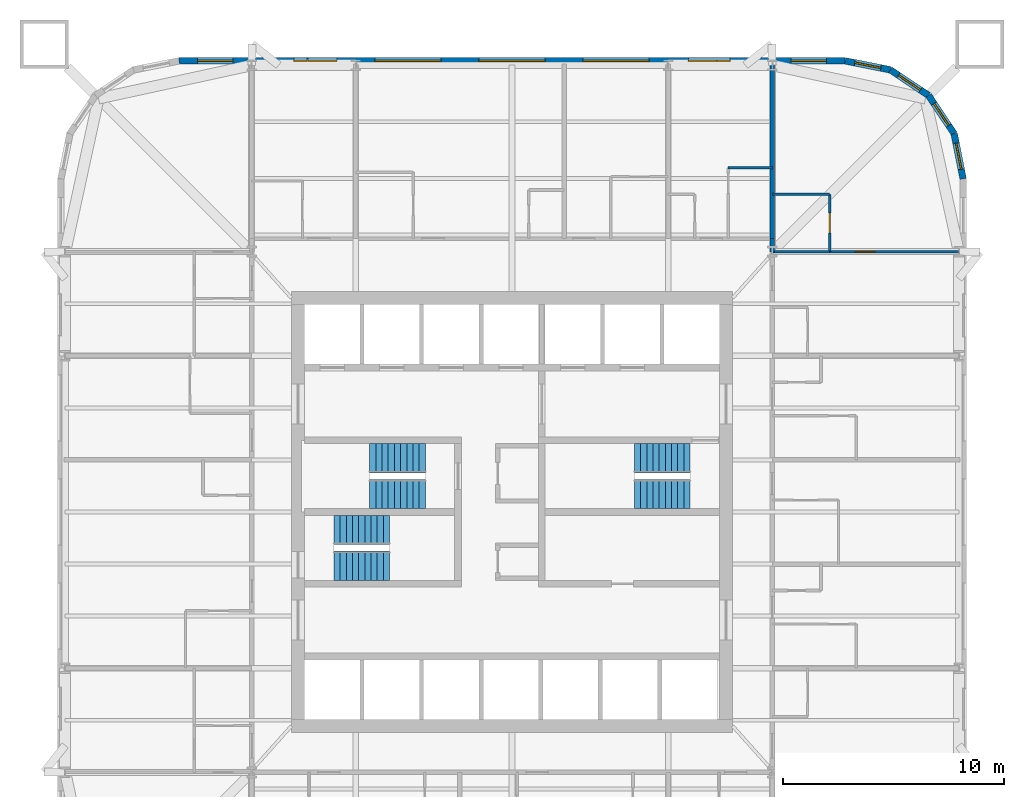
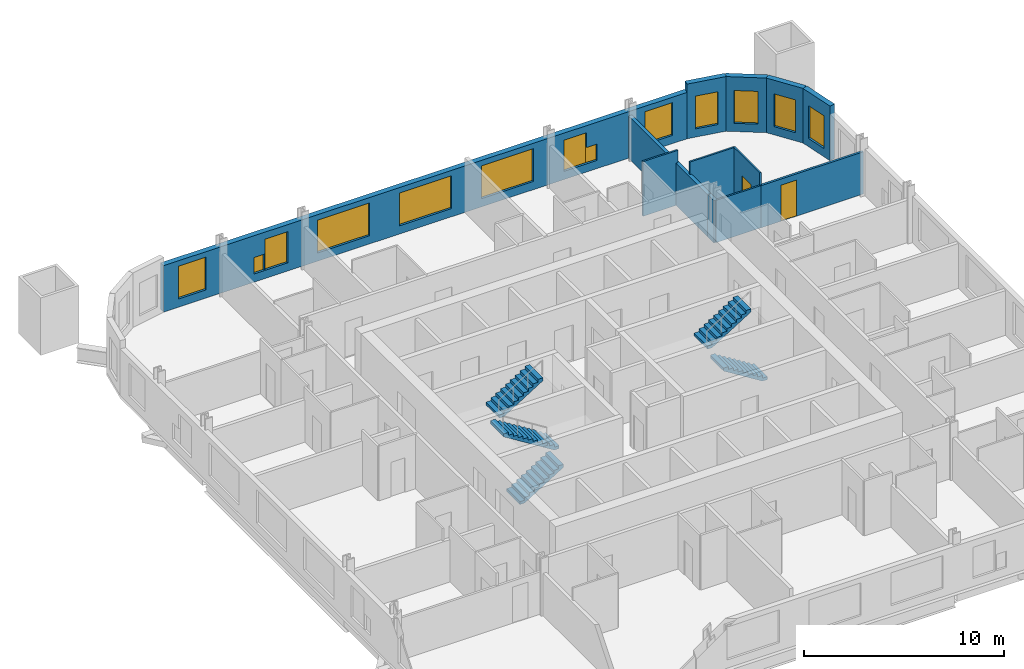
# One storey, part 8 of 9: 13 windows, 12 walls, 6 stair flights, 2 doors, 15 openings, 3 elements without a shape of their own.
"""IFC4 building model written with IfcOpenShell, lengths in metres."""

from ifc_helpers import new_model, si_unit, direction, frame, frame_2d, origin, place, context, subcontext, project, spatial, polyline, rectangle, outline, extrude, material, layer, layer_set, type_object, element, fill, aggregate, save


model = new_model("IFC4")

# Units and contexts
model_context = context("Model", 3, precision=1e-05, world=origin(), true_north=direction((0.0, 1.0)))
body_context = subcontext(model_context, "Body", "Model", "MODEL_VIEW")
ifc_project = project(units=[si_unit("LENGTHUNIT", "METRE"), si_unit("AREAUNIT", "SQUARE_METRE"), si_unit("VOLUMEUNIT", "CUBIC_METRE"), si_unit("PLANEANGLEUNIT", "RADIAN"), si_unit("MASSUNIT", "GRAM", prefix="KILO")], contexts=[model_context])

# Site, building, storey
site_placement = place(None, origin())
site = spatial("IfcSite", under=ifc_project, at=site_placement, CompositionType="ELEMENT")
building_placement = place(site_placement, origin())
building = spatial("IfcBuilding", under=site, at=building_placement, Name="Turquesa Mirador Hotel Tower", CompositionType="ELEMENT")
storey_placement = place(building_placement, frame((0.0, 0.0, 107.39990234375)))
storey = spatial("IfcBuildingStorey", under=building, at=storey_placement, Name="L28", CompositionType="ELEMENT", Elevation=107.39990234375)

# Walls
ifc_material_1 = material(Name="Gypsum board on steel studs", Category="steel")
ifc_layer_1 = layer(ifc_material_1, 0.10009765625)
ifc_layer_set_1 = layer_set([ifc_layer_1], Name="BATHROOM WALL 100")
wall_type_1 = type_object("IfcWallType", Name="BATHROOM WALL 100", PredefinedType="PARTITIONING", material=ifc_layer_set_1)
wall_1_placement = place(storey_placement, frame((66.800048828125, 56.800048828125, 0.0), z_axis=(0.0, 0.0, 1.0), x_axis=(1.0, 0.0, 0.0)))
element("IfcWall", 1, at=wall_1_placement, inside=storey, type_object=wall_type_1, Name="Partition L28 021", PredefinedType="PARTITIONING", context=body_context, shape_type="SweptSolid", body=[
    extrude(rectangle(XDim=2.599853515625, YDim=0.10009765625, at=frame_2d((1.2998046875, 0.0))), origin(), (0.0, 0.0, 1.0), 2.5732421875),
])
wall_2_placement = place(storey_placement, frame((66.800048828125, 59.39990234375, 0.0), z_axis=(0.0, 0.0, 1.0), x_axis=(1.0, 0.0, 0.0)))
element("IfcWall", 2, at=wall_2_placement, inside=storey, type_object=wall_type_1, Name="Partition L28 026", PredefinedType="PARTITIONING", context=body_context, shape_type="SweptSolid", body=[
    extrude(rectangle(XDim=2.599853515625, YDim=0.10009765625, at=frame_2d((1.2998046875, 0.0))), origin(), (0.0, 0.0, 1.0), 3.330078125),
])
wall_3_placement = place(storey_placement, frame((64.800048828125, 60.60009765625, 0.0), z_axis=(0.0, 0.0, 1.0), x_axis=(1.0, 0.0, 0.0)))
element("IfcWall", 3, at=wall_3_placement, inside=storey, type_object=wall_type_1, Name="Partition L28 031", PredefinedType="PARTITIONING", context=body_context, shape_type="SweptSolid", body=[
    extrude(rectangle(XDim=2.0, YDim=0.10009765625, at=frame_2d((1.0, 0.0))), origin(), (0.0, 0.0, 1.0), 3.330078125),
])

# Wall, opening, door
wall_4_placement = place(storey_placement, frame((69.39990234375, 56.800048828125, 0.0), z_axis=(0.0, 0.0, 1.0), x_axis=(0.0, 1.0, 0.0)))
wall_4 = element("IfcWall", 4, at=wall_4_placement, inside=storey, type_object=wall_type_1, Name="Partition L28 068", PredefinedType="PARTITIONING", context=body_context, shape_type="SweptSolid", body=[
    extrude(rectangle(XDim=2.599853515625, YDim=0.10009765625, at=frame_2d((1.2998046875, 0.0))), origin(), (0.0, 0.0, 1.0), 3.330078125),
])
opening_1_placement = place(wall_4_placement, frame((0.85009765625, 0.0, 0.0)))
opening_1 = element("IfcOpeningElement", 5, at=opening_1_placement, cuts=wall_4, Name="Opening D02", PredefinedType="OPENING", context=body_context, shape_type="SweptSolid", body=[
    extrude(rectangle(XDim=0.89990234375, YDim=2.10009765625, at=frame_2d((0.449951171875, 1.050048828125))), frame((0.0, 0.06005859375, 0.0), z_axis=(0.0, -1.0, 0.0), x_axis=(1.0, 0.0, 0.0)), (0.0, 0.0, 1.0), 0.1201171875),
])
ifc_material_2 = material(Name="Timber veneered door", Category="wood")
door_type_1 = type_object("IfcDoorType", Name="DOOR 900X2100 EN-SUITE", OperationType="SINGLE_SWING_RIGHT", PredefinedType="DOOR", material=ifc_material_2)
door_1_placement = place(opening_1_placement, origin())
door_1 = element("IfcDoor", 6, at=door_1_placement, inside=storey, type_object=door_type_1, Name="Door 2813B", OperationType="SINGLE_SWING_RIGHT", OverallHeight=2.10009765625, OverallWidth=0.89990234375, PredefinedType="DOOR", context=body_context, shape_type="SweptSolid", body=[
    extrude(rectangle(XDim=0.89990234375, YDim=2.10009765625, at=frame_2d((0.449951171875, 1.050048828125))), frame((0.0, 0.02490234375, 0.0), z_axis=(0.0, -1.0, 0.0), x_axis=(1.0, 0.0, 0.0)), (0.0, 0.0, 1.0), 0.050048828125),
])
fill(opening_1, door_1)

# Wall
ifc_material_3 = material(Name="Fire-rated gypsum board on steel studs", Category="steel")
ifc_layer_2 = layer(ifc_material_3, 0.199951171875)
ifc_layer_set_2 = layer_set([ifc_layer_2], Name="CORRIDOR WALL 200")
wall_type_2 = type_object("IfcWallType", Name="CORRIDOR WALL 200", PredefinedType="PARTITIONING", material=ifc_layer_set_2)
wall_5_placement = place(storey_placement, frame((66.800048828125, 56.780029296875, 0.0), z_axis=(0.0, 0.0, 1.0), x_axis=(0.0, 1.0, 0.0)))
element("IfcWall", 7, at=wall_5_placement, inside=storey, type_object=wall_type_2, Name="Partition L28 081", PredefinedType="PARTITIONING", context=body_context, shape_type="SweptSolid", body=[
    extrude(rectangle(XDim=0.619873046875, YDim=0.199951171875, at=frame_2d((0.31005859375, 0.0))), origin(), (0.0, 0.0, 1.0), 2.5732421875),
])

# Wall, opening, window
ifc_material_4 = material(Name="Limestone cladding on concrete block", Category="masonry")
ifc_layer_3 = layer(ifc_material_4, 0.300048828125)
ifc_layer_set_3 = layer_set([ifc_layer_3], Name="FACADE WALL 300 STONE SCREEN")
wall_type_3 = type_object("IfcWallType", Name="FACADE WALL 300 STONE SCREEN", PredefinedType="SOLIDWALL", material=ifc_layer_set_3)
wall_6_placement = place(storey_placement, frame((75.449951171875, 60.10009765625, 0.0), z_axis=(0.0, 0.0, 1.0), x_axis=(-0.195081421501, 0.980787050784, 0.0)))
wall_6 = element("IfcWall", 8, at=wall_6_placement, inside=storey, type_object=wall_type_3, Name="Facade wall L28 05", PredefinedType="SOLIDWALL", context=body_context, shape_type="SweptSolid", body=[
    extrude(rectangle(XDim=2.08740234375, YDim=0.300048828125, at=frame_2d((1.043701171875, 0.0))), origin(), (0.0, 0.0, 1.0), 3.330078125),
])
opening_2_placement = place(wall_6_placement, frame((0.443603515625, 0.0, 0.5)))
opening_2 = element("IfcOpeningElement", 9, at=opening_2_placement, cuts=wall_6, Name="Opening WN4", PredefinedType="OPENING", context=body_context, shape_type="SweptSolid", body=[
    extrude(rectangle(XDim=1.199951171875, YDim=2.0, at=frame_2d((0.60009765625, 1.0))), frame((0.0, 0.159912109375, 0.0), z_axis=(0.0, -1.0, 0.0), x_axis=(1.0, 0.0, 0.0)), (0.0, 0.0, 1.0), 0.320068359375),
])
ifc_material_5 = material(Name="Ceramic-fritted laminated glass", Category="glass")
window_type_1 = type_object("IfcWindowType", Name="FRITTED CORNER WINDOW 1200X2000", PartitioningType="DOUBLE_PANEL_HORIZONTAL", PredefinedType="WINDOW", material=ifc_material_5)
window_1_placement = place(opening_2_placement, origin())
window_1 = element("IfcWindow", 10, at=window_1_placement, inside=storey, type_object=window_type_1, Name="Window L28", OverallHeight=2.0, OverallWidth=1.199951171875, PartitioningType="SINGLE_PANEL", PredefinedType="WINDOW", context=body_context, shape_type="SweptSolid", body=[
    extrude(rectangle(XDim=1.199951171875, YDim=2.0, at=frame_2d((0.60009765625, 1.0))), frame((0.0, 0.030029296875, 0.0), z_axis=(0.0, -1.0, 0.0), x_axis=(1.0, 0.0, 0.0)), (0.0, 0.0, 1.0), 0.06005859375),
])
fill(opening_2, window_1)

wall_7_placement = place(storey_placement, frame((75.042724609375, 62.1474609375, 0.0), z_axis=(0.0, 0.0, 1.0), x_axis=(-0.555563607591, 0.831474039234, 0.0)))
wall_7 = element("IfcWall", 11, at=wall_7_placement, inside=storey, type_object=wall_type_3, Name="Facade wall L28 06", PredefinedType="SOLIDWALL", context=body_context, shape_type="SweptSolid", body=[
    extrude(rectangle(XDim=2.08740234375, YDim=0.300048828125, at=frame_2d((1.043701171875, 0.0))), origin(), (0.0, 0.0, 1.0), 3.330078125),
])
opening_3_placement = place(wall_7_placement, frame((0.443603515625, 0.0, 0.5)))
opening_3 = element("IfcOpeningElement", 12, at=opening_3_placement, cuts=wall_7, Name="Opening WN4", PredefinedType="OPENING", context=body_context, shape_type="SweptSolid", body=[
    extrude(rectangle(XDim=1.199951171875, YDim=2.0, at=frame_2d((0.60009765625, 1.0))), frame((0.0, 0.159912109375, 0.0), z_axis=(0.0, -1.0, 0.0), x_axis=(1.0, 0.0, 0.0)), (0.0, 0.0, 1.0), 0.320068359375),
])
window_2_placement = place(opening_3_placement, origin())
window_2 = element("IfcWindow", 13, at=window_2_placement, inside=storey, type_object=window_type_1, Name="Window L28", OverallHeight=2.0, OverallWidth=1.199951171875, PartitioningType="SINGLE_PANEL", PredefinedType="WINDOW", context=body_context, shape_type="SweptSolid", body=[
    extrude(rectangle(XDim=1.199951171875, YDim=2.0, at=frame_2d((0.60009765625, 1.0))), frame((0.0, 0.030029296875, 0.0), z_axis=(0.0, -1.0, 0.0), x_axis=(1.0, 0.0, 0.0)), (0.0, 0.0, 1.0), 0.06005859375),
])
fill(opening_3, window_2)

wall_8_placement = place(storey_placement, frame((73.883056640625, 63.883056640625, 0.0), z_axis=(0.0, 0.0, 1.0), x_axis=(-0.831474039234, 0.555563607591, 0.0)))
wall_8 = element("IfcWall", 14, at=wall_8_placement, inside=storey, type_object=wall_type_3, Name="Facade wall L28 07", PredefinedType="SOLIDWALL", context=body_context, shape_type="SweptSolid", body=[
    extrude(rectangle(XDim=2.08740234375, YDim=0.300048828125, at=frame_2d((1.043701171875, 0.0))), origin(), (0.0, 0.0, 1.0), 3.330078125),
])
opening_4_placement = place(wall_8_placement, frame((0.443603515625, 0.0, 0.5)))
opening_4 = element("IfcOpeningElement", 15, at=opening_4_placement, cuts=wall_8, Name="Opening WN4", PredefinedType="OPENING", context=body_context, shape_type="SweptSolid", body=[
    extrude(rectangle(XDim=1.199951171875, YDim=2.0, at=frame_2d((0.60009765625, 1.0))), frame((0.0, 0.159912109375, 0.0), z_axis=(0.0, -1.0, 0.0), x_axis=(1.0, 0.0, 0.0)), (0.0, 0.0, 1.0), 0.320068359375),
])
window_3_placement = place(opening_4_placement, origin())
window_3 = element("IfcWindow", 16, at=window_3_placement, inside=storey, type_object=window_type_1, Name="Window L28", OverallHeight=2.0, OverallWidth=1.199951171875, PartitioningType="SINGLE_PANEL", PredefinedType="WINDOW", context=body_context, shape_type="SweptSolid", body=[
    extrude(rectangle(XDim=1.199951171875, YDim=2.0, at=frame_2d((0.60009765625, 1.0))), frame((0.0, 0.030029296875, 0.0), z_axis=(0.0, -1.0, 0.0), x_axis=(1.0, 0.0, 0.0)), (0.0, 0.0, 1.0), 0.06005859375),
])
fill(opening_4, window_3)

wall_9_placement = place(storey_placement, frame((72.1474609375, 65.042724609375, 0.0), z_axis=(0.0, 0.0, 1.0), x_axis=(-0.980787050784, 0.195081421501, 0.0)))
wall_9 = element("IfcWall", 17, at=wall_9_placement, inside=storey, type_object=wall_type_3, Name="Facade wall L28 08", PredefinedType="SOLIDWALL", context=body_context, shape_type="SweptSolid", body=[
    extrude(rectangle(XDim=2.08740234375, YDim=0.300048828125, at=frame_2d((1.043701171875, 0.0))), origin(), (0.0, 0.0, 1.0), 3.330078125),
])
opening_5_placement = place(wall_9_placement, frame((0.443603515625, 0.0, 0.5)))
opening_5 = element("IfcOpeningElement", 18, at=opening_5_placement, cuts=wall_9, Name="Opening WN4", PredefinedType="OPENING", context=body_context, shape_type="SweptSolid", body=[
    extrude(rectangle(XDim=1.199951171875, YDim=2.0, at=frame_2d((0.60009765625, 1.0))), frame((0.0, 0.159912109375, 0.0), z_axis=(0.0, -1.0, 0.0), x_axis=(1.0, 0.0, 0.0)), (0.0, 0.0, 1.0), 0.320068359375),
])
window_4_placement = place(opening_5_placement, origin())
window_4 = element("IfcWindow", 19, at=window_4_placement, inside=storey, type_object=window_type_1, Name="Window L28", OverallHeight=2.0, OverallWidth=1.199951171875, PartitioningType="SINGLE_PANEL", PredefinedType="WINDOW", context=body_context, shape_type="SweptSolid", body=[
    extrude(rectangle(XDim=1.199951171875, YDim=2.0, at=frame_2d((0.60009765625, 1.0))), frame((0.0, 0.030029296875, 0.0), z_axis=(0.0, -1.0, 0.0), x_axis=(1.0, 0.0, 0.0)), (0.0, 0.0, 1.0), 0.06005859375),
])
fill(opening_5, window_4)

# Wall, openings, windows
wall_10_placement = place(storey_placement, frame((70.10009765625, 65.449951171875, 0.0), z_axis=(0.0, 0.0, 1.0), x_axis=(-1.0, 0.0, 0.0)))
wall_10 = element("IfcWall", 20, at=wall_10_placement, inside=storey, type_object=wall_type_3, Name="Facade wall L28 09", PredefinedType="SOLIDWALL", context=body_context, shape_type="SweptSolid", body=[
    extrude(rectangle(XDim=30.2001953125, YDim=0.300048828125, at=frame_2d((15.10009765625, 0.0))), origin(), (0.0, 0.0, 1.0), 2.830078125),
])
opening_6_placement = place(wall_10_placement, frame((0.85009765625, 0.0, 0.5)))
opening_6 = element("IfcOpeningElement", 21, at=opening_6_placement, cuts=wall_10, Name="Opening WN3", PredefinedType="OPENING", context=body_context, shape_type="SweptSolid", body=[
    extrude(rectangle(XDim=1.60009765625, YDim=2.0, at=frame_2d((0.800048828125, 1.0))), frame((0.0, 0.159912109375, 0.0), z_axis=(0.0, -1.0, 0.0), x_axis=(1.0, 0.0, 0.0)), (0.0, 0.0, 1.0), 0.320068359375),
])
opening_7_placement = place(wall_10_placement, frame((5.81005859375, 0.0, 0.5)))
opening_7 = element("IfcOpeningElement", 22, at=opening_7_placement, cuts=wall_10, Name="Opening WN27", PredefinedType="OPENING", context=body_context, shape_type="SweptSolid", body=[
    extrude(rectangle(XDim=1.300048828125, YDim=1.89990234375, at=frame_2d((0.64990234375, 0.949951171875))), frame((0.0, 0.159912109375, 0.0), z_axis=(0.0, -1.0, 0.0), x_axis=(1.0, 0.0, 0.0)), (0.0, 0.0, 1.0), 0.320068359375),
])
opening_8_placement = place(wall_10_placement, frame((8.8798828125, 0.0, 0.5)))
opening_8 = element("IfcOpeningElement", 23, at=opening_8_placement, cuts=wall_10, Name="Opening WN1", PredefinedType="OPENING", context=body_context, shape_type="SweptSolid", body=[
    extrude(rectangle(XDim=3.0, YDim=2.0, at=frame_2d((1.5, 1.0))), frame((0.0, 0.159912109375, 0.0), z_axis=(0.0, -1.0, 0.0), x_axis=(1.0, 0.0, 0.0)), (0.0, 0.0, 1.0), 0.320068359375),
])
opening_9_placement = place(wall_10_placement, frame((13.60009765625, 0.0, 0.5)))
opening_9 = element("IfcOpeningElement", 24, at=opening_9_placement, cuts=wall_10, Name="Opening WN1", PredefinedType="OPENING", context=body_context, shape_type="SweptSolid", body=[
    extrude(rectangle(XDim=3.0, YDim=2.0, at=frame_2d((1.5, 1.0))), frame((0.0, 0.159912109375, 0.0), z_axis=(0.0, -1.0, 0.0), x_axis=(1.0, 0.0, 0.0)), (0.0, 0.0, 1.0), 0.320068359375),
])
opening_10_placement = place(wall_10_placement, frame((18.320068359375, 0.0, 0.5)))
opening_10 = element("IfcOpeningElement", 25, at=opening_10_placement, cuts=wall_10, Name="Opening WN1", PredefinedType="OPENING", context=body_context, shape_type="SweptSolid", body=[
    extrude(rectangle(XDim=3.0, YDim=2.0, at=frame_2d((1.5, 1.0))), frame((0.0, 0.159912109375, 0.0), z_axis=(0.0, -1.0, 0.0), x_axis=(1.0, 0.0, 0.0)), (0.0, 0.0, 1.0), 0.320068359375),
])
opening_11_placement = place(wall_10_placement, frame((23.0400390625, 0.0, 0.5)))
opening_11 = element("IfcOpeningElement", 26, at=opening_11_placement, cuts=wall_10, Name="Opening WN27", PredefinedType="OPENING", context=body_context, shape_type="SweptSolid", body=[
    extrude(rectangle(XDim=1.300048828125, YDim=1.89990234375, at=frame_2d((0.64990234375, 0.949951171875))), frame((0.0, 0.159912109375, 0.0), z_axis=(0.0, -1.0, 0.0), x_axis=(1.0, 0.0, 0.0)), (0.0, 0.0, 1.0), 0.320068359375),
])
opening_12_placement = place(wall_10_placement, frame((27.75, 0.0, 0.5)))
opening_12 = element("IfcOpeningElement", 27, at=opening_12_placement, cuts=wall_10, Name="Opening WN3", PredefinedType="OPENING", context=body_context, shape_type="SweptSolid", body=[
    extrude(rectangle(XDim=1.60009765625, YDim=2.0, at=frame_2d((0.800048828125, 1.0))), frame((0.0, 0.159912109375, 0.0), z_axis=(0.0, -1.0, 0.0), x_axis=(1.0, 0.0, 0.0)), (0.0, 0.0, 1.0), 0.320068359375),
])
opening_13_placement = place(wall_10_placement, frame((5.2099609375, 0.0, 0.5)))
opening_13 = element("IfcOpeningElement", 28, at=opening_13_placement, cuts=wall_10, Name="Opening WN29", PredefinedType="OPENING", context=body_context, shape_type="SweptSolid", body=[
    extrude(rectangle(XDim=0.60009765625, YDim=1.0, at=frame_2d((0.300048828125, 0.5))), frame((0.0, 0.159912109375, 0.0), z_axis=(0.0, -1.0, 0.0), x_axis=(1.0, 0.0, 0.0)), (0.0, 0.0, 1.0), 0.320068359375),
])
opening_14_placement = place(wall_10_placement, frame((24.389892578125, 0.0, 0.5)))
opening_14 = element("IfcOpeningElement", 29, at=opening_14_placement, cuts=wall_10, Name="Opening WN29", PredefinedType="OPENING", context=body_context, shape_type="SweptSolid", body=[
    extrude(rectangle(XDim=0.60009765625, YDim=1.0, at=frame_2d((0.300048828125, 0.5))), frame((0.0, 0.159912109375, 0.0), z_axis=(0.0, -1.0, 0.0), x_axis=(1.0, 0.0, 0.0)), (0.0, 0.0, 1.0), 0.320068359375),
])
ifc_material_6 = material(Name="Ceramic-fritted laminated glass", Category="glass")
window_type_2 = type_object("IfcWindowType", Name="FRITTED WINDOW 1300X1900", PartitioningType="DOUBLE_PANEL_HORIZONTAL", PredefinedType="WINDOW", material=ifc_material_6)
window_5_placement = place(opening_7_placement, origin())
window_5 = element("IfcWindow", 30, at=window_5_placement, inside=storey, type_object=window_type_2, Name="Window L28", OverallHeight=1.89990234375, OverallWidth=1.300048828125, PartitioningType="SINGLE_PANEL", PredefinedType="WINDOW", context=body_context, shape_type="SweptSolid", body=[
    extrude(rectangle(XDim=1.300048828125, YDim=1.89990234375, at=frame_2d((0.64990234375, 0.949951171875))), frame((0.0, 0.030029296875, 0.0), z_axis=(0.0, -1.0, 0.0), x_axis=(1.0, 0.0, 0.0)), (0.0, 0.0, 1.0), 0.06005859375),
])
fill(opening_7, window_5)
window_6_placement = place(opening_11_placement, origin())
window_6 = element("IfcWindow", 31, at=window_6_placement, inside=storey, type_object=window_type_2, Name="Window L28", OverallHeight=1.89990234375, OverallWidth=1.300048828125, PartitioningType="SINGLE_PANEL", PredefinedType="WINDOW", context=body_context, shape_type="SweptSolid", body=[
    extrude(rectangle(XDim=1.300048828125, YDim=1.89990234375, at=frame_2d((0.64990234375, 0.949951171875))), frame((0.0, 0.030029296875, 0.0), z_axis=(0.0, -1.0, 0.0), x_axis=(1.0, 0.0, 0.0)), (0.0, 0.0, 1.0), 0.06005859375),
])
fill(opening_11, window_6)
ifc_material_7 = material(Name="Ceramic-fritted laminated glass", Category="glass")
window_type_3 = type_object("IfcWindowType", Name="FRITTED WINDOW 1600X2000", PartitioningType="DOUBLE_PANEL_HORIZONTAL", PredefinedType="WINDOW", material=ifc_material_7)
window_7_placement = place(opening_6_placement, origin())
window_7 = element("IfcWindow", 32, at=window_7_placement, inside=storey, type_object=window_type_3, Name="Window L28", OverallHeight=2.0, OverallWidth=1.60009765625, PartitioningType="SINGLE_PANEL", PredefinedType="WINDOW", context=body_context, shape_type="SweptSolid", body=[
    extrude(rectangle(XDim=1.60009765625, YDim=2.0, at=frame_2d((0.800048828125, 1.0))), frame((0.0, 0.030029296875, 0.0), z_axis=(0.0, -1.0, 0.0), x_axis=(1.0, 0.0, 0.0)), (0.0, 0.0, 1.0), 0.06005859375),
])
fill(opening_6, window_7)
window_8_placement = place(opening_12_placement, origin())
window_8 = element("IfcWindow", 33, at=window_8_placement, inside=storey, type_object=window_type_3, Name="Window L28", OverallHeight=2.0, OverallWidth=1.60009765625, PartitioningType="SINGLE_PANEL", PredefinedType="WINDOW", context=body_context, shape_type="SweptSolid", body=[
    extrude(rectangle(XDim=1.60009765625, YDim=2.0, at=frame_2d((0.800048828125, 1.0))), frame((0.0, 0.030029296875, 0.0), z_axis=(0.0, -1.0, 0.0), x_axis=(1.0, 0.0, 0.0)), (0.0, 0.0, 1.0), 0.06005859375),
])
fill(opening_12, window_8)
ifc_material_8 = material(Name="Ceramic-fritted laminated glass", Category="glass")
window_type_4 = type_object("IfcWindowType", Name="FRITTED WINDOW 3000X2000", PartitioningType="DOUBLE_PANEL_HORIZONTAL", PredefinedType="WINDOW", material=ifc_material_8)
window_9_placement = place(opening_8_placement, origin())
window_9 = element("IfcWindow", 34, at=window_9_placement, inside=storey, type_object=window_type_4, Name="Window L28", OverallHeight=2.0, OverallWidth=3.0, PartitioningType="SINGLE_PANEL", PredefinedType="WINDOW", context=body_context, shape_type="SweptSolid", body=[
    extrude(rectangle(XDim=3.0, YDim=2.0, at=frame_2d((1.5, 1.0))), frame((0.0, 0.030029296875, 0.0), z_axis=(0.0, -1.0, 0.0), x_axis=(1.0, 0.0, 0.0)), (0.0, 0.0, 1.0), 0.06005859375),
])
fill(opening_8, window_9)
window_10_placement = place(opening_9_placement, origin())
window_10 = element("IfcWindow", 35, at=window_10_placement, inside=storey, type_object=window_type_4, Name="Window L28", OverallHeight=2.0, OverallWidth=3.0, PartitioningType="SINGLE_PANEL", PredefinedType="WINDOW", context=body_context, shape_type="SweptSolid", body=[
    extrude(rectangle(XDim=3.0, YDim=2.0, at=frame_2d((1.5, 1.0))), frame((0.0, 0.030029296875, 0.0), z_axis=(0.0, -1.0, 0.0), x_axis=(1.0, 0.0, 0.0)), (0.0, 0.0, 1.0), 0.06005859375),
])
fill(opening_9, window_10)
window_11_placement = place(opening_10_placement, origin())
window_11 = element("IfcWindow", 36, at=window_11_placement, inside=storey, type_object=window_type_4, Name="Window L28", OverallHeight=2.0, OverallWidth=3.0, PartitioningType="SINGLE_PANEL", PredefinedType="WINDOW", context=body_context, shape_type="SweptSolid", body=[
    extrude(rectangle(XDim=3.0, YDim=2.0, at=frame_2d((1.5, 1.0))), frame((0.0, 0.030029296875, 0.0), z_axis=(0.0, -1.0, 0.0), x_axis=(1.0, 0.0, 0.0)), (0.0, 0.0, 1.0), 0.06005859375),
])
fill(opening_10, window_11)
ifc_material_9 = material(Name="Ceramic-fritted laminated glass", Category="glass")
window_type_5 = type_object("IfcWindowType", Name="FRITTED WINDOW 600X1000", PartitioningType="DOUBLE_PANEL_HORIZONTAL", PredefinedType="WINDOW", material=ifc_material_9)
window_12_placement = place(opening_13_placement, origin())
window_12 = element("IfcWindow", 37, at=window_12_placement, inside=storey, type_object=window_type_5, Name="Window L28", OverallHeight=1.0, OverallWidth=0.60009765625, PartitioningType="SINGLE_PANEL", PredefinedType="WINDOW", context=body_context, shape_type="SweptSolid", body=[
    extrude(rectangle(XDim=0.60009765625, YDim=1.0, at=frame_2d((0.300048828125, 0.5))), frame((0.0, 0.030029296875, 0.0), z_axis=(0.0, -1.0, 0.0), x_axis=(1.0, 0.0, 0.0)), (0.0, 0.0, 1.0), 0.06005859375),
])
fill(opening_13, window_12)
window_13_placement = place(opening_14_placement, origin())
window_13 = element("IfcWindow", 38, at=window_13_placement, inside=storey, type_object=window_type_5, Name="Window L28", OverallHeight=1.0, OverallWidth=0.60009765625, PartitioningType="SINGLE_PANEL", PredefinedType="WINDOW", context=body_context, shape_type="SweptSolid", body=[
    extrude(rectangle(XDim=0.60009765625, YDim=1.0, at=frame_2d((0.300048828125, 0.5))), frame((0.0, 0.030029296875, 0.0), z_axis=(0.0, -1.0, 0.0), x_axis=(1.0, 0.0, 0.0)), (0.0, 0.0, 1.0), 0.06005859375),
])
fill(opening_14, window_13)

# Wall
ifc_material_10 = material(Name="Fire-rated gypsum board on steel studs", Category="steel")
ifc_layer_4 = layer(ifc_material_10, 0.199951171875)
ifc_layer_set_4 = layer_set([ifc_layer_4], Name="PARTY WALL 200")
wall_type_4 = type_object("IfcWallType", Name="PARTY WALL 200", PredefinedType="PARTITIONING", material=ifc_layer_set_4)
wall_11_placement = place(storey_placement, frame((66.800048828125, 57.39990234375, 0.0), z_axis=(0.0, 0.0, 1.0), x_axis=(0.0, 1.0, 0.0)))
element("IfcWall", 39, at=wall_11_placement, inside=storey, type_object=wall_type_4, Name="Partition L28 062", PredefinedType="PARTITIONING", context=body_context, shape_type="SweptSolid", body=[
    extrude(rectangle(XDim=7.900146484375, YDim=0.199951171875, at=frame_2d((3.9501953125, 0.0))), origin(), (0.0, 0.0, 1.0), 2.5732421875),
])

# Wall, opening, door
ifc_material_11 = material(Name="Acoustic gypsum board on steel studs", Category="steel")
ifc_layer_5 = layer(ifc_material_11, 0.125)
ifc_layer_set_5 = layer_set([ifc_layer_5], Name="SUITE PARTITION 125")
wall_type_5 = type_object("IfcWallType", Name="SUITE PARTITION 125", PredefinedType="PARTITIONING", material=ifc_layer_set_5)
wall_12_placement = place(storey_placement, frame((69.39990234375, 56.800048828125, 0.0), z_axis=(0.0, 0.0, 1.0), x_axis=(1.0, 0.0, 0.0)))
wall_12 = element("IfcWall", 40, at=wall_12_placement, inside=storey, type_object=wall_type_5, Name="Partition L28 023", PredefinedType="PARTITIONING", context=body_context, shape_type="SweptSolid", body=[
    extrude(rectangle(XDim=5.900146484375, YDim=0.125, at=frame_2d((2.9501953125, 0.0))), origin(), (0.0, 0.0, 1.0), 2.5732421875),
])
opening_15_placement = place(wall_12_placement, frame((1.14990234375, 0.0, 0.0)))
opening_15 = element("IfcOpeningElement", 41, at=opening_15_placement, cuts=wall_12, Name="Opening D17", PredefinedType="OPENING", context=body_context, shape_type="SweptSolid", body=[
    extrude(rectangle(XDim=0.89990234375, YDim=2.199951171875, at=frame_2d((0.449951171875, 1.10009765625))), frame((0.0, 0.072509765625, 0.0), z_axis=(0.0, -1.0, 0.0), x_axis=(1.0, 0.0, 0.0)), (0.0, 0.0, 1.0), 0.14501953125),
])
ifc_material_12 = material(Name="Timber veneered door", Category="wood")
door_type_2 = type_object("IfcDoorType", Name="DOOR 900X2200 SUITE INTERNAL", OperationType="SINGLE_SWING_LEFT", PredefinedType="DOOR", material=ifc_material_12)
door_2_placement = place(opening_15_placement, origin())
door_2 = element("IfcDoor", 42, at=door_2_placement, inside=storey, type_object=door_type_2, Name="Door 2813R", OperationType="SINGLE_SWING_LEFT", OverallHeight=2.199951171875, OverallWidth=0.89990234375, PredefinedType="DOOR", context=body_context, shape_type="SweptSolid", body=[
    extrude(rectangle(XDim=0.89990234375, YDim=2.199951171875, at=frame_2d((0.449951171875, 1.10009765625))), frame((0.0, 0.02490234375, 0.0), z_axis=(0.0, -1.0, 0.0), x_axis=(1.0, 0.0, 0.0)), (0.0, 0.0, 1.0), 0.050048828125),
])
fill(opening_15, door_2)

# Stair, stair flights
ifc_material_13 = material(Name="Concrete C35/45", Category="concrete")
stair_type = type_object("IfcStairType", Name="ESCAPE STAIR CORE", PredefinedType="HALF_TURN_STAIR", material=ifc_material_13)
stair_1_placement = place(storey_placement, origin())
stair_1 = element("IfcStair", 43, at=stair_1_placement, inside=storey, type_object=stair_type, Name="Stair ST1 L28 to L29", PredefinedType="HALF_TURN_STAIR")
ifc_material_14 = material(Name="Concrete C35/45 precast flight", Category="concrete")
stair_flight_type = type_object("IfcStairFlightType", Name="STAIR FLIGHT 1330", PredefinedType="STRAIGHT", material=ifc_material_14)
stair_flight_1_placement = place(storey_placement, frame((51.070068359375, 45.81494140625, 0.0), z_axis=(0.0, 0.0, 1.0), x_axis=(-1.0, 0.0, 0.0)))
stair_flight_1 = element("IfcStairFlight", 44, at=stair_flight_1_placement, type_object=stair_flight_type, Name="ST1 flight 1", NumberOfRisers=10, NumberOfTreads=9, PredefinedType="STRAIGHT", RiserHeight=0.175, TreadLength=0.28, context=body_context, shape_type="SweptSolid", body=[
    extrude(outline(polyline([(0.0, 0.0), (0.0, 0.175048828125), (0.280029296875, 0.175048828125), (0.280029296875, 0.35009765625), (0.56005859375, 0.35009765625), (0.56005859375, 0.52490234375), (0.840087890625, 0.52490234375), (0.840087890625, 0.699951171875), (1.1201171875, 0.699951171875), (1.1201171875, 0.875), (1.39990234375, 0.875), (1.39990234375, 1.050048828125), (1.679931640625, 1.050048828125), (1.679931640625, 1.22509765625), (1.9599609375, 1.22509765625), (1.9599609375, 1.39990234375), (2.239990234375, 1.39990234375), (2.239990234375, 1.574951171875), (2.52001953125, 1.574951171875), (2.52001953125, 1.75), (2.52001953125, 1.398193359375), (0.28271484375, 0.0), (0.0, 0.0)])), frame((0.0, 0.6650390625, 0.0), z_axis=(0.0, -1.0, 0.0), x_axis=(1.0, 0.0, 0.0)), (0.0, 0.0, 1.0), 1.330078125),
])
stair_flight_2_placement = place(storey_placement, frame((48.550048828125, 47.43505859375, 1.75), z_axis=(0.0, 0.0, 1.0), x_axis=(1.0, 0.0, 0.0)))
stair_flight_2 = element("IfcStairFlight", 45, at=stair_flight_2_placement, type_object=stair_flight_type, Name="ST1 flight 2", NumberOfRisers=10, NumberOfTreads=9, PredefinedType="STRAIGHT", RiserHeight=0.175, TreadLength=0.28, context=body_context, shape_type="SweptSolid", body=[
    extrude(outline(polyline([(0.0, 0.0), (0.0, 0.175048828125), (0.280029296875, 0.175048828125), (0.280029296875, 0.35009765625), (0.56005859375, 0.35009765625), (0.56005859375, 0.52490234375), (0.840087890625, 0.52490234375), (0.840087890625, 0.699951171875), (1.1201171875, 0.699951171875), (1.1201171875, 0.875), (1.39990234375, 0.875), (1.39990234375, 1.050048828125), (1.679931640625, 1.050048828125), (1.679931640625, 1.22509765625), (1.9599609375, 1.22509765625), (1.9599609375, 1.39990234375), (2.239990234375, 1.39990234375), (2.239990234375, 1.574951171875), (2.52001953125, 1.574951171875), (2.52001953125, 1.75), (2.52001953125, 1.398193359375), (0.28271484375, 0.0), (0.0, 0.0)])), frame((0.0, 0.6650390625, 0.0), z_axis=(0.0, -1.0, 0.0), x_axis=(1.0, 0.0, 0.0)), (0.0, 0.0, 1.0), 1.330078125),
])
aggregate(stair_1, [stair_flight_1, stair_flight_2])

stair_2_placement = place(storey_placement, origin())
stair_2 = element("IfcStair", 46, at=stair_2_placement, inside=storey, type_object=stair_type, Name="Stair ST2 L28 to L29", PredefinedType="HALF_TURN_STAIR")
stair_flight_3_placement = place(storey_placement, frame((46.929931640625, 42.56494140625, 0.0), z_axis=(0.0, 0.0, 1.0), x_axis=(1.0, 0.0, 0.0)))
stair_flight_3 = element("IfcStairFlight", 47, at=stair_flight_3_placement, type_object=stair_flight_type, Name="ST2 flight 1", NumberOfRisers=10, NumberOfTreads=9, PredefinedType="STRAIGHT", RiserHeight=0.175, TreadLength=0.28, context=body_context, shape_type="SweptSolid", body=[
    extrude(outline(polyline([(0.0, 0.0), (0.0, 0.175048828125), (0.280029296875, 0.175048828125), (0.280029296875, 0.35009765625), (0.56005859375, 0.35009765625), (0.56005859375, 0.52490234375), (0.840087890625, 0.52490234375), (0.840087890625, 0.699951171875), (1.1201171875, 0.699951171875), (1.1201171875, 0.875), (1.39990234375, 0.875), (1.39990234375, 1.050048828125), (1.679931640625, 1.050048828125), (1.679931640625, 1.22509765625), (1.9599609375, 1.22509765625), (1.9599609375, 1.39990234375), (2.239990234375, 1.39990234375), (2.239990234375, 1.574951171875), (2.52001953125, 1.574951171875), (2.52001953125, 1.75), (2.52001953125, 1.398193359375), (0.28271484375, 0.0), (0.0, 0.0)])), frame((0.0, 0.6650390625, 0.0), z_axis=(0.0, -1.0, 0.0), x_axis=(1.0, 0.0, 0.0)), (0.0, 0.0, 1.0), 1.330078125),
])
stair_flight_4_placement = place(storey_placement, frame((49.449951171875, 44.18505859375, 1.75), z_axis=(0.0, 0.0, 1.0), x_axis=(-1.0, 0.0, 0.0)))
stair_flight_4 = element("IfcStairFlight", 48, at=stair_flight_4_placement, type_object=stair_flight_type, Name="ST2 flight 2", NumberOfRisers=10, NumberOfTreads=9, PredefinedType="STRAIGHT", RiserHeight=0.175, TreadLength=0.28, context=body_context, shape_type="SweptSolid", body=[
    extrude(outline(polyline([(0.0, 0.0), (0.0, 0.175048828125), (0.280029296875, 0.175048828125), (0.280029296875, 0.35009765625), (0.56005859375, 0.35009765625), (0.56005859375, 0.52490234375), (0.840087890625, 0.52490234375), (0.840087890625, 0.699951171875), (1.1201171875, 0.699951171875), (1.1201171875, 0.875), (1.39990234375, 0.875), (1.39990234375, 1.050048828125), (1.679931640625, 1.050048828125), (1.679931640625, 1.22509765625), (1.9599609375, 1.22509765625), (1.9599609375, 1.39990234375), (2.239990234375, 1.39990234375), (2.239990234375, 1.574951171875), (2.52001953125, 1.574951171875), (2.52001953125, 1.75), (2.52001953125, 1.398193359375), (0.28271484375, 0.0), (0.0, 0.0)])), frame((0.0, 0.6650390625, 0.0), z_axis=(0.0, -1.0, 0.0), x_axis=(1.0, 0.0, 0.0)), (0.0, 0.0, 1.0), 1.330078125),
])
aggregate(stair_2, [stair_flight_3, stair_flight_4])

stair_3_placement = place(storey_placement, origin())
stair_3 = element("IfcStair", 49, at=stair_3_placement, inside=storey, type_object=stair_type, Name="Stair ST3 L28 to L29", PredefinedType="HALF_TURN_STAIR")
stair_flight_5_placement = place(storey_placement, frame((63.070068359375, 45.81494140625, 0.0), z_axis=(0.0, 0.0, 1.0), x_axis=(-1.0, 0.0, 0.0)))
stair_flight_5 = element("IfcStairFlight", 50, at=stair_flight_5_placement, type_object=stair_flight_type, Name="ST3 flight 1", NumberOfRisers=10, NumberOfTreads=9, PredefinedType="STRAIGHT", RiserHeight=0.175, TreadLength=0.28, context=body_context, shape_type="SweptSolid", body=[
    extrude(outline(polyline([(0.0, 0.0), (0.0, 0.175048828125), (0.280029296875, 0.175048828125), (0.280029296875, 0.35009765625), (0.56005859375, 0.35009765625), (0.56005859375, 0.52490234375), (0.840087890625, 0.52490234375), (0.840087890625, 0.699951171875), (1.1201171875, 0.699951171875), (1.1201171875, 0.875), (1.39990234375, 0.875), (1.39990234375, 1.050048828125), (1.679931640625, 1.050048828125), (1.679931640625, 1.22509765625), (1.9599609375, 1.22509765625), (1.9599609375, 1.39990234375), (2.239990234375, 1.39990234375), (2.239990234375, 1.574951171875), (2.52001953125, 1.574951171875), (2.52001953125, 1.75), (2.52001953125, 1.398193359375), (0.28271484375, 0.0), (0.0, 0.0)])), frame((0.0, 0.6650390625, 0.0), z_axis=(0.0, -1.0, 0.0), x_axis=(1.0, 0.0, 0.0)), (0.0, 0.0, 1.0), 1.330078125),
])
stair_flight_6_placement = place(storey_placement, frame((60.550048828125, 47.43505859375, 1.75), z_axis=(0.0, 0.0, 1.0), x_axis=(1.0, 0.0, 0.0)))
stair_flight_6 = element("IfcStairFlight", 51, at=stair_flight_6_placement, type_object=stair_flight_type, Name="ST3 flight 2", NumberOfRisers=10, NumberOfTreads=9, PredefinedType="STRAIGHT", RiserHeight=0.175, TreadLength=0.28, context=body_context, shape_type="SweptSolid", body=[
    extrude(outline(polyline([(0.0, 0.0), (0.0, 0.175048828125), (0.280029296875, 0.175048828125), (0.280029296875, 0.35009765625), (0.56005859375, 0.35009765625), (0.56005859375, 0.52490234375), (0.840087890625, 0.52490234375), (0.840087890625, 0.699951171875), (1.1201171875, 0.699951171875), (1.1201171875, 0.875), (1.39990234375, 0.875), (1.39990234375, 1.050048828125), (1.679931640625, 1.050048828125), (1.679931640625, 1.22509765625), (1.9599609375, 1.22509765625), (1.9599609375, 1.39990234375), (2.239990234375, 1.39990234375), (2.239990234375, 1.574951171875), (2.52001953125, 1.574951171875), (2.52001953125, 1.75), (2.52001953125, 1.398193359375), (0.28271484375, 0.0), (0.0, 0.0)])), frame((0.0, 0.6650390625, 0.0), z_axis=(0.0, -1.0, 0.0), x_axis=(1.0, 0.0, 0.0)), (0.0, 0.0, 1.0), 1.330078125),
])
aggregate(stair_3, [stair_flight_5, stair_flight_6])

save(model, "model.ifc")
